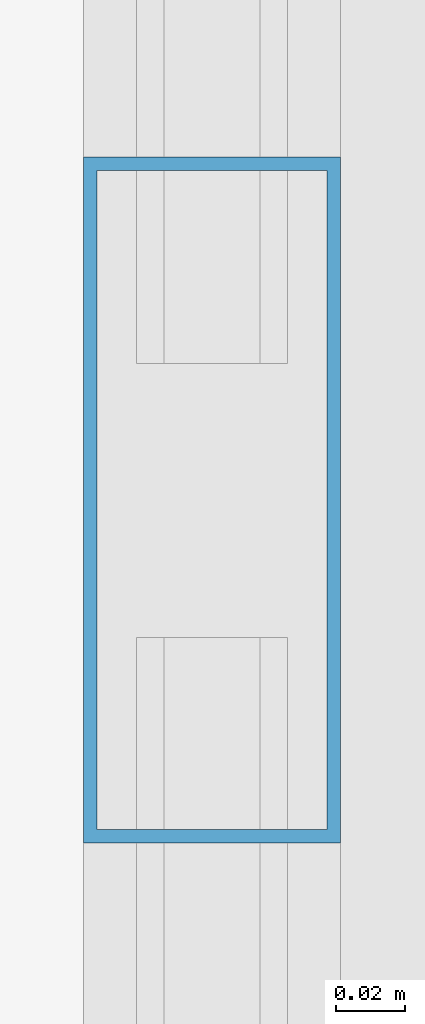
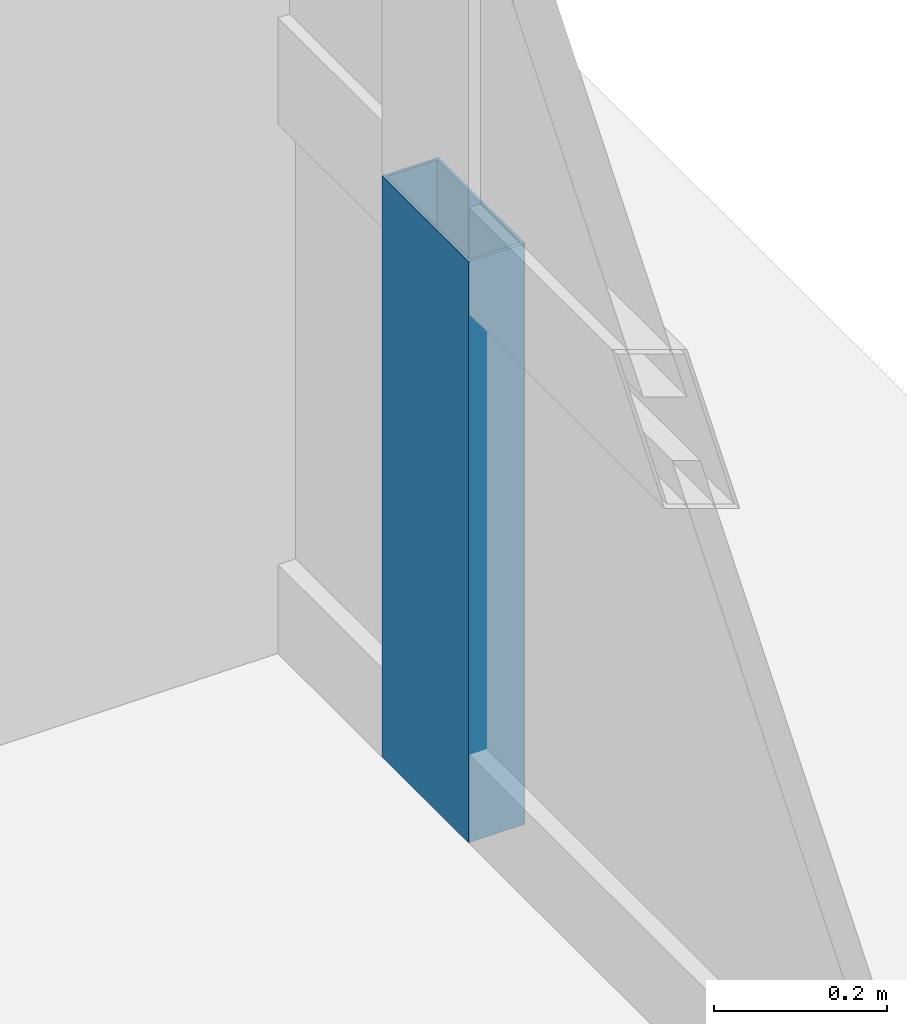
# One storey, part 25 of 35: 1 member, 1 element without a shape of its own.
"""IFC4 building model written with IfcOpenShell, lengths in metres."""

from ifc_helpers import new_model, si_unit, direction, frame, origin, origin_2d, place, context, subcontext, project, spatial, hollow_rectangle, extrude, source, transform, mapped, material, layer, layer_set, material_profile, profile_set, type_object, element, aggregate, save


model = new_model("IFC4")

# Units and contexts
model_context = context("Model", 3, precision=1e-05, world=origin(), true_north=direction((0.0, 1.0)))
body_context = subcontext(model_context, "Body", "Model", "MODEL_VIEW")
ifc_project = project(units=[si_unit("LENGTHUNIT", "METRE"), si_unit("AREAUNIT", "SQUARE_METRE"), si_unit("VOLUMEUNIT", "CUBIC_METRE"), si_unit("PLANEANGLEUNIT", "RADIAN"), si_unit("MASSUNIT", "GRAM", prefix="KILO"), si_unit("THERMODYNAMICTEMPERATUREUNIT", "KELVIN"), si_unit("POWERUNIT", "WATT")], contexts=[model_context])

# Site, building, storey
site_placement = place(None, origin())
site = spatial("IfcSite", under=ifc_project, at=site_placement, CompositionType="ELEMENT")
building_placement = place(site_placement, origin())
building = spatial("IfcBuilding", under=site, at=building_placement, Name="Yuzanri Waterfront Tower", CompositionType="ELEMENT")
storey_placement = place(building_placement, frame((0.0, 0.0, 343.199951171875)))
storey = spatial("IfcBuildingStorey", under=building, at=storey_placement, Name="L92", CompositionType="ELEMENT", Elevation=343.199951171875)

# Curtain wall, member
ifc_material_1 = material(Name="Anodized Architectural Bronze", Category="metal")
ifc_layer = layer(ifc_material_1, 0.159912109375)
ifc_layer_set = layer_set([ifc_layer], Name="Anodized Architectural Bronze")
curtain_wall_type = type_object("IfcCurtainWallType", Name="Anodized Bronze High-Rise Penthouse High-Wind Unitized Curtain Wall 6900", PredefinedType="NOTDEFINED", material=ifc_layer_set)
curtain_wall_placement = place(storey_placement, origin())
curtain_wall = element("IfcCurtainWall", 1, at=curtain_wall_placement, inside=storey, type_object=curtain_wall_type, Name="L92 Curtain Wall CW-L92-ER", PredefinedType="NOTDEFINED")
ifc_material_2 = material(Name="Anodized Architectural Bronze", Category="metal")
ifc_material_profile = material_profile(ifc_material_2, hollow_rectangle(XDim=0.074951171875, YDim=0.199951171875, WallThickness=0.00390625, at=origin_2d()), Name="CWM 75x200")
ifc_profile_set = profile_set([ifc_material_profile], Name="Anodized Architectural Bronze")
member_type = type_object("IfcMemberType", Name="Anodized Bronze Primary Curtain-Wall Mullion 75x200", PredefinedType="MULLION", material=ifc_profile_set)
shared_shape = source(origin(), body_context, "Body", "SweptSolid", [
    extrude(hollow_rectangle(XDim=0.074951171875, YDim=0.199951171875, WallThickness=0.00390625, at=origin_2d()), origin(), (0.0, 0.0, 1.0), 0.818115234375),
])
member_placement = place(storey_placement, frame((55.949951171875, 31.85009765625, 0.0), z_axis=(0.0, 0.0, 1.0), x_axis=(1.0, 0.0, 0.0)))
member = element("IfcMember", 2, at=member_placement, type_object=member_type, Name="CW-L92-ER Lower Mullion 01", PredefinedType="MULLION", context=body_context, shape_type="MappedRepresentation", body=[
    mapped(shared_shape, transform((0.0, 0.0, 0.0), scale=1.0)),
])
aggregate(curtain_wall, [member])

save(model, "model.ifc")
